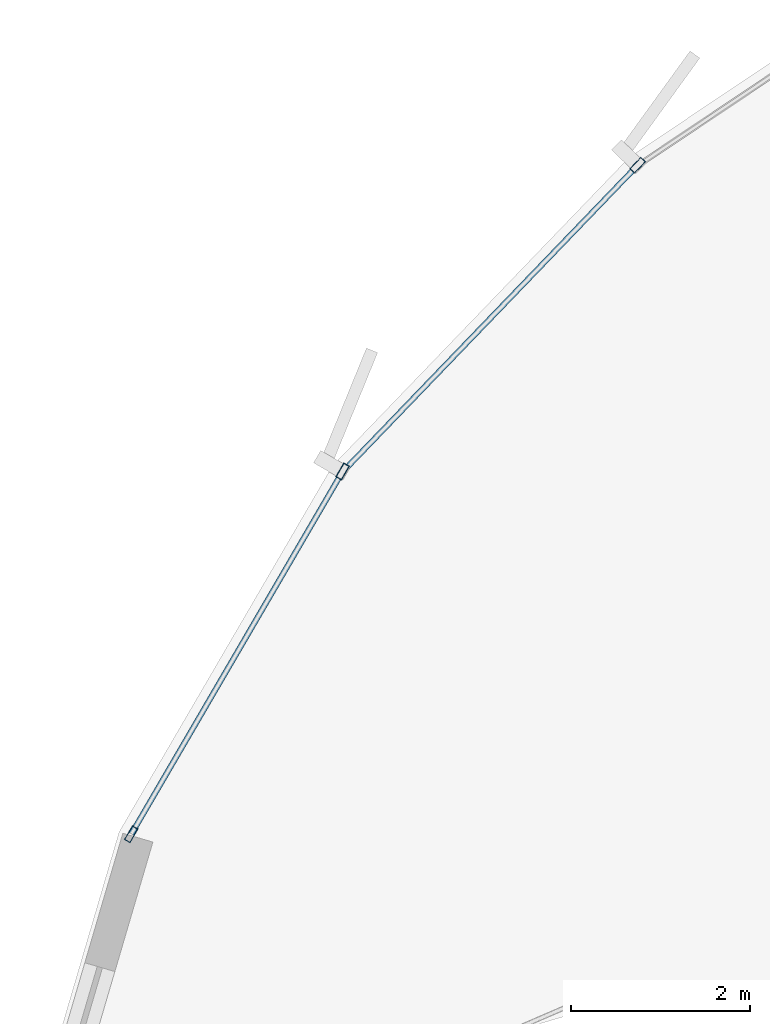
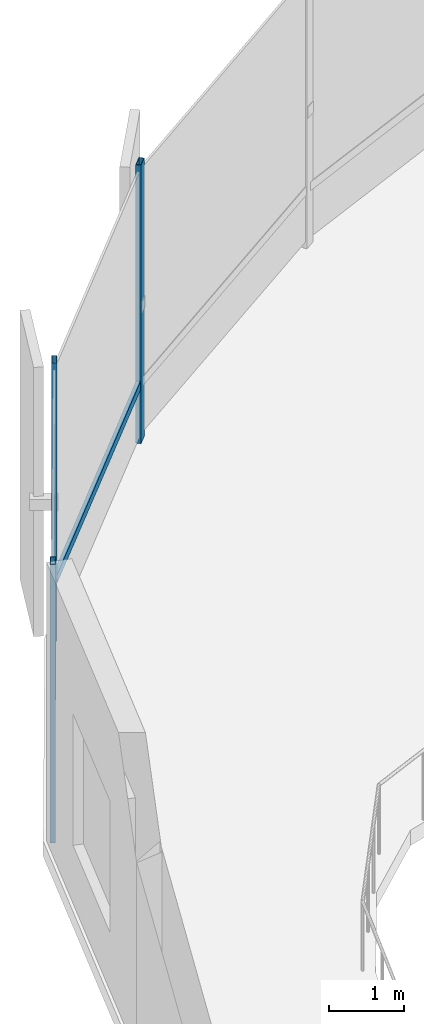
# One storey, part 10 of 34: 5 members, 1 element without a shape of its own.
"""IFC4 building model written with IfcOpenShell, lengths in metres."""

import ifcopenshell
import ifcopenshell.guid

model = None  # the IFC model being written
_history = None  # IfcOwnerHistory: only IFC2X3 demands one
_inside = {}  # id of a spatial element -> (the spatial element, [elements in it])
_under = {}  # id of a project, library or spatial element -> (it, [spatial elements below it])
_declared = {}  # id of a project -> (the project, [libraries it declares])
_typed = {}  # id of a type object -> (the type object, [elements of that type])
_made_of = {}  # id of a material, layer set ... -> (it, [elements and type objects made of it])


def new_model(schema):
    """Start an empty IFC model of exactly this schema.

    Asked for "IFC4X3", IfcOpenShell would pick the latest addendum, in which some entities
    have other attributes; the version numbers below select the first issue.
    IFC2X3 requires an IfcOwnerHistory on every rooted entity: one is made here for all.
    """
    global model, _history
    if schema == "IFC4X3":
        model = ifcopenshell.file(schema_version=(4, 3, 0, 0))
    else:
        model = ifcopenshell.file(schema=schema)
    _inside.clear()
    _under.clear()
    _declared.clear()
    _typed.clear()
    _made_of.clear()
    _history = None
    if model.schema == "IFC2X3":
        org = make("IfcOrganization", Name="unknown")
        user = make(
            "IfcPersonAndOrganization",
            ThePerson=make("IfcPerson", FamilyName="unknown"),
            TheOrganization=org,
        )
        app = make(
            "IfcApplication",
            ApplicationDeveloper=org,
            Version="unknown",
            ApplicationFullName="unknown",
            ApplicationIdentifier="unknown",
        )
        _history = make(
            "IfcOwnerHistory",
            OwningUser=user,
            OwningApplication=app,
            ChangeAction="ADDED",
            CreationDate=0,
        )
    return model


def make(cls, **values):
    """One entity of the class cls with the attributes given. An attribute that is None is left unset."""
    return model.create_entity(
        cls, **{name: value for name, value in values.items() if value is not None}
    )


def rooted(cls, **values):
    """An entity with a GlobalId (a new one), such as an element, a storey or a relation."""
    return make(cls, GlobalId=ifcopenshell.guid.new(), OwnerHistory=_history, **values)


def si_unit(unit_type, name, prefix=None):
    """IfcSIUnit, for example si_unit("LENGTHUNIT", "METRE", prefix="MILLI")."""
    return make("IfcSIUnit", UnitType=unit_type, Prefix=prefix, Name=name)


def assignment(units):
    """IfcUnitAssignment: the units of a project."""
    return None if units is None else make("IfcUnitAssignment", Units=units)


def point(xyz):
    """IfcCartesianPoint."""
    return None if xyz is None else make("IfcCartesianPoint", Coordinates=xyz)


def direction(xyz):
    """IfcDirection."""
    return None if xyz is None else make("IfcDirection", DirectionRatios=xyz)


def frame(location, z_axis=None, x_axis=None):
    """IfcAxis2Placement3D, a coordinate frame: its origin and axes. An axis left out is left unset."""
    return make(
        "IfcAxis2Placement3D",
        Location=point(location),
        Axis=direction(z_axis),
        RefDirection=direction(x_axis),
    )


def frame_2d(location, x_axis=None):
    """IfcAxis2Placement2D, a coordinate frame in the plane: its origin and x axis."""
    return make(
        "IfcAxis2Placement2D", Location=point(location), RefDirection=direction(x_axis)
    )


def origin():
    """The frame at (0, 0, 0) with its axes left unset."""
    return frame((0.0, 0.0, 0.0))


def origin_2d():
    """The frame at (0, 0) in the plane with its x axis left unset."""
    return frame_2d((0.0, 0.0))


def place(relative_to, where):
    """IfcLocalPlacement: puts the frame where relative to a parent placement (None: the world)."""
    return make(
        "IfcLocalPlacement", PlacementRelTo=relative_to, RelativePlacement=where
    )


def context(
    kind, dimensions, precision=None, world=None, true_north=None, identifier=None
):
    """IfcGeometricRepresentationContext, for example the 3D "Model" context."""
    return make(
        "IfcGeometricRepresentationContext",
        ContextIdentifier=identifier,
        ContextType=kind,
        CoordinateSpaceDimension=dimensions,
        Precision=precision,
        WorldCoordinateSystem=world,
        TrueNorth=true_north,
    )


def subcontext(parent, identifier, kind, view, scale=None):
    """IfcGeometricRepresentationSubContext, for example "Body" below "Model"."""
    return make(
        "IfcGeometricRepresentationSubContext",
        ContextIdentifier=identifier,
        ContextType=kind,
        ParentContext=parent,
        TargetScale=scale,
        TargetView=view,
    )


def project(units=None, contexts=None):
    """IfcProject with its units and contexts."""
    return rooted(
        "IfcProject",
        Name="project",
        RepresentationContexts=contexts,
        UnitsInContext=assignment(units),
    )


def spatial(cls, under=None, at=None, **own):
    """A site, building, storey or space (cls), placed at a placement, below another one or the project."""
    s = rooted(cls, ObjectPlacement=at, **own)
    if under is not None:
        _under.setdefault(under.id(), (under, []))[1].append(s)
    return s


def profile(cls, at=None, kind="AREA", **sizes):
    """A parametric profile (cls). Its sizes go by their IFC names, for example OverallWidth=200.0."""
    return make(cls, ProfileType=kind, Position=at, **sizes)


def hollow_rectangle(**sizes):
    """IfcRectangleHollowProfileDef."""
    return profile("IfcRectangleHollowProfileDef", **sizes)


def extrude(swept, where, along, depth):
    """IfcExtrudedAreaSolid: the profile swept, set in the frame where, extruded along a direction by depth."""
    return make(
        "IfcExtrudedAreaSolid",
        SweptArea=swept,
        Position=where,
        ExtrudedDirection=direction(along),
        Depth=depth,
    )


def shape(context_of_items, identifier, shape_type, items):
    """IfcShapeRepresentation: the items that make up one representation, for example the "Body"."""
    return make(
        "IfcShapeRepresentation",
        ContextOfItems=context_of_items,
        RepresentationIdentifier=identifier,
        RepresentationType=shape_type,
        Items=items,
    )


def source(mapping_origin, context_of_items, identifier, shape_type, items):
    """IfcRepresentationMap: a shape defined once, which mapped items show again and again."""
    return make(
        "IfcRepresentationMap",
        MappingOrigin=mapping_origin,
        MappedRepresentation=shape(context_of_items, identifier, shape_type, items),
    )


def transform(
    local_origin,
    x_axis=None,
    y_axis=None,
    z_axis=None,
    scale=None,
    scale2=None,
    scale3=None,
    uniform=True,
):
    """IfcCartesianTransformationOperator3D, or its non-uniform kind. x_axis, y_axis, z_axis: its Axis1, 2, 3."""
    if uniform:
        return make(
            "IfcCartesianTransformationOperator3D",
            Axis1=direction(x_axis),
            Axis2=direction(y_axis),
            LocalOrigin=point(local_origin),
            Scale=scale,
            Axis3=direction(z_axis),
        )
    return make(
        "IfcCartesianTransformationOperator3DnonUniform",
        Axis1=direction(x_axis),
        Axis2=direction(y_axis),
        LocalOrigin=point(local_origin),
        Scale=scale,
        Axis3=direction(z_axis),
        Scale2=scale2,
        Scale3=scale3,
    )


def mapped(mapping_source, mapping_target):
    """IfcMappedItem: shows the shape of a source again, moved by a transform."""
    return make(
        "IfcMappedItem", MappingSource=mapping_source, MappingTarget=mapping_target
    )


def material(Name=None, Category=None):
    """IfcMaterial."""
    return make("IfcMaterial", Name=Name, Category=Category)


def layer(
    of_material, thickness, ventilated=None, Name=None, Category=None, Priority=None
):
    """IfcMaterialLayer: one layer of a wall or slab, of a material (None: an air gap)."""
    return make(
        "IfcMaterialLayer",
        Material=of_material,
        LayerThickness=thickness,
        IsVentilated=ventilated,
        Name=Name,
        Category=Category,
        Priority=Priority,
    )


def layer_set(layers, Name=None):
    """IfcMaterialLayerSet."""
    return make("IfcMaterialLayerSet", MaterialLayers=layers, LayerSetName=Name)


def material_profile(
    of_material, cross_section, Name=None, Category=None, Priority=None
):
    """IfcMaterialProfile: a cross section and its material."""
    return make(
        "IfcMaterialProfile",
        Name=Name,
        Material=of_material,
        Profile=cross_section,
        Priority=Priority,
        Category=Category,
    )


def profile_set(profiles, Name=None, composite=None):
    """IfcMaterialProfileSet."""
    return make(
        "IfcMaterialProfileSet",
        Name=Name,
        MaterialProfiles=profiles,
        CompositeProfile=composite,
    )


def made_of(thing, what):
    """Note that an element or type object is made of a material, layer set ...; save() writes the relation."""
    if what is not None:
        _made_of.setdefault(what.id(), (what, []))[1].append(thing)
    return thing


def type_object(cls, material=None, **own):
    """A type object (cls), such as IfcWallType, which elements share."""
    return made_of(rooted(cls, **own), material)


def element(
    cls,
    number,
    at=None,
    inside=None,
    cuts=None,
    type_object=None,
    material=None,
    context=None,
    identifier="Body",
    shape_type=None,
    held_by="IfcProductDefinitionShape",
    body=None,
    shapes=None,
    **own,
):
    """One element of the class cls, such as IfcWall. Its Tag is "e" and its number.

    at: its placement. inside: the storey or other place that contains it. cuts: it is an
    opening in that element (IfcRelVoidsElement). A single representation is given by context,
    identifier, shape_type and body (its items); several are given by shapes. held_by: the class
    of the entity that holds the representations. save() writes the other relations.
    """
    e = rooted(cls, Tag="e%d" % number, ObjectPlacement=at, **own)
    if body is not None:
        shapes = [shape(context, identifier, shape_type, body)]
    if shapes is not None:
        e.Representation = make(held_by, Representations=shapes)
    if inside is not None:
        _inside.setdefault(inside.id(), (inside, []))[1].append(e)
    if cuts is not None:
        rooted(
            "IfcRelVoidsElement", RelatingBuildingElement=cuts, RelatedOpeningElement=e
        )
    if type_object is not None:
        _typed.setdefault(type_object.id(), (type_object, []))[1].append(e)
    return made_of(e, material)


def aggregate(whole, parts):
    """IfcRelAggregates: a whole, such as a stair, and the parts it consists of."""
    return rooted("IfcRelAggregates", RelatingObject=whole, RelatedObjects=parts)


def save(model, path):
    """Write the relations noted so far, then the file.

    IfcRelAggregates (storeys below a building ...), IfcRelContainedInSpatialStructure (elements
    in a storey), IfcRelDefinesByType, IfcRelAssociatesMaterial and IfcRelDeclares: one each for
    every whole, place, type object, material and project.
    """
    for whole, parts in _under.values():
        aggregate(whole, parts)
    for where, things in _inside.values():
        rooted(
            "IfcRelContainedInSpatialStructure",
            RelatedElements=things,
            RelatingStructure=where,
        )
    for kind, things in _typed.values():
        rooted("IfcRelDefinesByType", RelatedObjects=things, RelatingType=kind)
    for what, things in _made_of.values():
        rooted("IfcRelAssociatesMaterial", RelatedObjects=things, RelatingMaterial=what)
    for by, libraries in _declared.values():
        rooted("IfcRelDeclares", RelatingContext=by, RelatedDefinitions=libraries)
    model.write(path)


model = new_model("IFC4")

# Units and contexts
model_context = context("Model", 3, precision=1e-05, world=origin(), true_north=direction((0.0, 1.0)))
body_context = subcontext(model_context, "Body", "Model", "MODEL_VIEW")
ifc_project = project(units=[si_unit("LENGTHUNIT", "METRE"), si_unit("AREAUNIT", "SQUARE_METRE"), si_unit("VOLUMEUNIT", "CUBIC_METRE"), si_unit("PLANEANGLEUNIT", "RADIAN"), si_unit("MASSUNIT", "GRAM", prefix="KILO"), si_unit("THERMODYNAMICTEMPERATUREUNIT", "KELVIN")], contexts=[model_context])

# Site, building, storey
site_placement = place(None, origin())
site = spatial("IfcSite", under=ifc_project, at=site_placement, CompositionType="ELEMENT")
building_placement = place(site_placement, origin())
building = spatial("IfcBuilding", under=site, at=building_placement, Name="Kethvar Cultural Tower", CompositionType="ELEMENT")
storey_placement = place(building_placement, frame((0.0, 0.0, 5.199951171875)))
storey = spatial("IfcBuildingStorey", under=building, at=storey_placement, Name="L01", CompositionType="ELEMENT", Elevation=5.199951171875)

# Curtain wall, members
ifc_material = material(Name="Aluminium 6063-T6", Category="aluminium")
ifc_layer = layer(ifc_material, 0.179931640625, Name="Aluminium 6063-T6", Category="aluminium")
ifc_layer_set = layer_set([ifc_layer], Name="Aluminium 6063-T6 (180 mm)")
curtain_wall_type = type_object("IfcCurtainWallType", Name="CW-SYS-01-POD", PredefinedType="NOTDEFINED", material=ifc_layer_set)
curtain_wall_placement = place(storey_placement, origin())
curtain_wall = element("IfcCurtainWall", 1, at=curtain_wall_placement, inside=storey, type_object=curtain_wall_type, Name="L01 Curtain Wall Run 03", PredefinedType="NOTDEFINED")
ifc_material_profile_1 = material_profile(ifc_material, hollow_rectangle(XDim=0.06005859375, YDim=0.139892578125, WallThickness=0.0048828125, at=origin_2d()), Name="Aluminium 6063-T6 — RHS140x60x5")
ifc_profile_set_1 = profile_set([ifc_material_profile_1], Name="Aluminium 6063-T6 — RHS140x60x5")
member_type_1 = type_object("IfcMemberType", Name="CW-SYS-01-POD-TRN", PredefinedType="USERDEFINED", material=ifc_profile_set_1)
shared_shape_1 = source(origin(), body_context, "Body", "SweptSolid", [
    extrude(hollow_rectangle(XDim=0.06005859375, YDim=0.139892578125, WallThickness=0.0048828125, at=origin_2d()), origin(), (0.0, 0.0, 1.0), 4.639892578125),
])
member_1_placement = place(storey_placement, frame((5.20068359375, 43.881591796875, 0.949951171875), z_axis=(-0.503504560489, -0.863992568004, 0.0), x_axis=(0.863992568004, -0.503504560489, 0.0)))
member_1 = element("IfcMember", 2, at=member_1_placement, type_object=member_type_1, Name="CW-L01-R03 Transom 4", ObjectType="TRANSOM", PredefinedType="USERDEFINED", context=body_context, shape_type="MappedRepresentation", body=[
    mapped(shared_shape_1, transform((0.0, 0.0, 0.0), scale=1.0)),
])
shared_shape_2 = source(origin(), body_context, "Body", "SweptSolid", [
    extrude(hollow_rectangle(XDim=0.06005859375, YDim=0.139892578125, WallThickness=0.0048828125, at=origin_2d()), origin(), (0.0, 0.0, 1.0), 4.6826171875),
])
member_2_placement = place(storey_placement, frame((8.4931640625, 47.31689453125, 0.949951171875), z_axis=(-0.693341040309, -0.72060960431, 0.0), x_axis=(0.72060960431, -0.693341040309, 0.0)))
member_2 = element("IfcMember", 3, at=member_2_placement, type_object=member_type_1, Name="CW-L01-R03 Transom 3", ObjectType="TRANSOM", PredefinedType="USERDEFINED", context=body_context, shape_type="MappedRepresentation", body=[
    mapped(shared_shape_2, transform((0.0, 0.0, 0.0), scale=1.0)),
])
ifc_material_profile_2 = material_profile(ifc_material, hollow_rectangle(XDim=0.074951171875, YDim=0.179931640625, WallThickness=0.006103515625, at=origin_2d()), Name="Aluminium 6063-T6 — RHS180x75x6")
ifc_profile_set_2 = profile_set([ifc_material_profile_2], Name="Aluminium 6063-T6 — RHS180x75x6")
member_type_2 = type_object("IfcMemberType", Name="CW-SYS-01-POD-MUL", PredefinedType="MULLION", material=ifc_profile_set_2)
shared_shape_3 = source(origin(), body_context, "Body", "SweptSolid", [
    extrude(hollow_rectangle(XDim=0.074951171875, YDim=0.179931640625, WallThickness=0.006103515625, at=origin_2d()), origin(), (0.0, 0.0, 1.0), 4.550048828125),
])
member_3_placement = place(storey_placement, frame((8.530517578125, 47.355712890625, 0.0), z_axis=(0.0, 0.0, 1.0), x_axis=(0.720611619661, -0.693338945689, 0.0)))
member_3 = element("IfcMember", 4, at=member_3_placement, type_object=member_type_2, Name="CW-L01-R03 Mullion 3", PredefinedType="MULLION", context=body_context, shape_type="MappedRepresentation", body=[
    mapped(shared_shape_3, transform((0.0, 0.0, 0.0), scale=1.0)),
])
member_4_placement = place(storey_placement, frame((5.227783203125, 43.92822265625, 0.0), z_axis=(0.0, 0.0, 1.0), x_axis=(0.863984939927, -0.503517649721, 0.0)))
member_4 = element("IfcMember", 5, at=member_4_placement, type_object=member_type_2, Name="CW-L01-R03 Mullion 4", PredefinedType="MULLION", context=body_context, shape_type="MappedRepresentation", body=[
    mapped(shared_shape_3, transform((0.0, 0.0, 0.0), scale=1.0)),
])
member_5_placement = place(storey_placement, frame((2.86181640625, 39.868408203125, 0.0), z_axis=(0.0, 0.0, 1.0), x_axis=(0.863984939927, -0.503517649721, 0.0)))
member_5 = element("IfcMember", 6, at=member_5_placement, type_object=member_type_2, Name="CW-L01-R03 Mullion 5", PredefinedType="MULLION", context=body_context, shape_type="MappedRepresentation", body=[
    mapped(shared_shape_3, transform((0.0, 0.0, 0.0), scale=1.0)),
])
aggregate(curtain_wall, [member_3, member_4, member_5, member_2, member_1])

save(model, "model.ifc")
